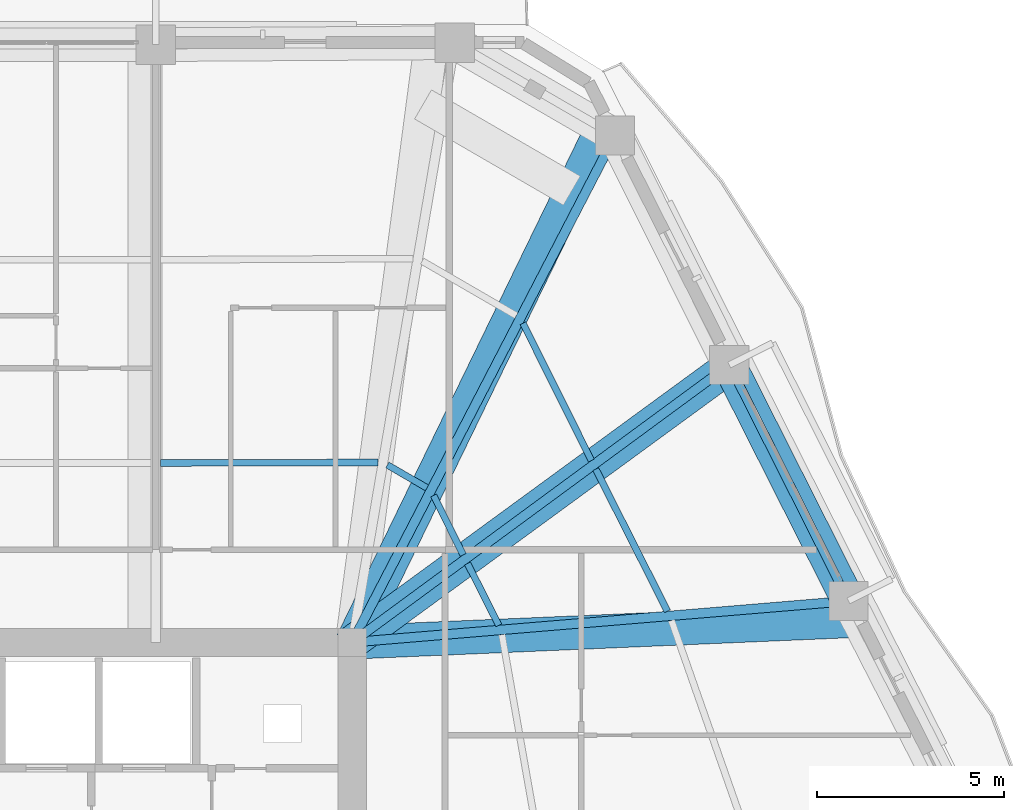
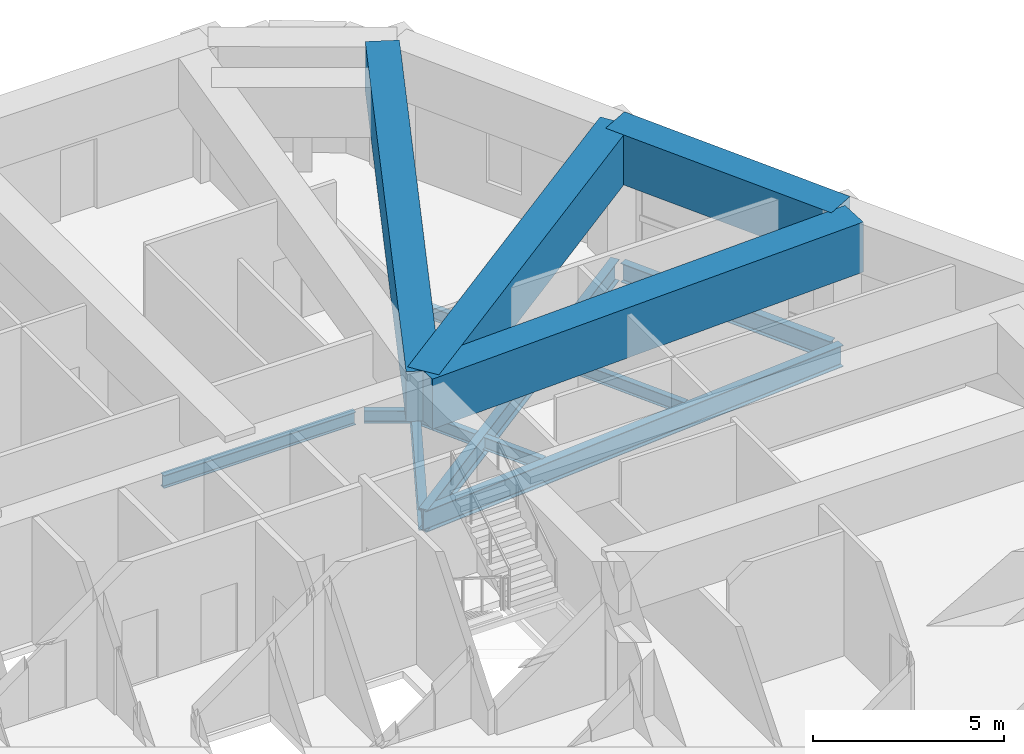
# One storey, part 9 of 23: 14 beams.
"""IFC4 building model written with IfcOpenShell, lengths in metres."""

from ifc_helpers import new_model, si_unit, direction, frame, origin, origin_2d, place, context, subcontext, project, spatial, rectangle, i_section, extrude, material, material_profile, profile_set, type_object, element, save


model = new_model("IFC4")

# Units and contexts
model_context = context("Model", 3, precision=1e-05, world=origin(), true_north=direction((0.0, 1.0)))
body_context = subcontext(model_context, "Body", "Model", "MODEL_VIEW")
ifc_project = project(units=[si_unit("LENGTHUNIT", "METRE"), si_unit("AREAUNIT", "SQUARE_METRE"), si_unit("VOLUMEUNIT", "CUBIC_METRE"), si_unit("PLANEANGLEUNIT", "RADIAN"), si_unit("MASSUNIT", "GRAM", prefix="KILO")], contexts=[model_context])

# Site, building, storey
site_placement = place(None, origin())
site = spatial("IfcSite", under=ifc_project, at=site_placement, CompositionType="ELEMENT")
building_placement = place(site_placement, origin())
building = spatial("IfcBuilding", under=site, at=building_placement, Name="Cinnabar Lancet Tower", CompositionType="ELEMENT")
storey_placement = place(building_placement, frame((0.0, 0.0, 94.199951171875)))
storey = spatial("IfcBuildingStorey", under=building, at=storey_placement, Name="L24", CompositionType="ELEMENT", Elevation=94.199951171875)

# Beams
ifc_material_1 = material(Name="Concrete C70/85", Category="concrete")
ifc_material_profile_1 = material_profile(ifc_material_1, rectangle(XDim=0.89990234375, YDim=1.60009765625, at=origin_2d()), Name="RC-BG 900x1600")
ifc_profile_set_1 = profile_set([ifc_material_profile_1], Name="Concrete C70/85")
beam_type_1 = type_object("IfcBeamType", Name="STR-BM-BG-1600", PredefinedType="BEAM", material=ifc_profile_set_1)
beam_1_placement = place(storey_placement, frame((55.0458984375, 34.3798828125, 3.400146484375), z_axis=(-0.450773692627, 0.892638268301, 0.0), x_axis=(-0.892638268301, -0.450773692627, 0.0)))
element("IfcBeam", 1, at=beam_1_placement, inside=storey, type_object=beam_type_1, Name="L25 Setback Outer Ring Girder 10", PredefinedType="BEAM", context=body_context, shape_type="SweptSolid", body=[
    extrude(rectangle(XDim=0.89990234375, YDim=1.60009765625, at=origin_2d()), origin(), (0.0, 0.0, 1.0), 7.070068359375),
])
beam_2_placement = place(storey_placement, frame((55.14501953125, 33.84912109375, 3.400146484375), z_axis=(-0.999079011891, -0.042908367467, 0.0), x_axis=(0.042908367467, -0.999079011891, 0.0)))
element("IfcBeam", 2, at=beam_2_placement, inside=storey, type_object=beam_type_1, Name="L25 Setback Continuous Radial Transfer Girder 10", PredefinedType="BEAM", context=body_context, shape_type="SweptSolid", body=[
    extrude(rectangle(XDim=0.89990234375, YDim=1.60009765625, at=origin_2d()), origin(), (0.0, 0.0, 1.0), 13.38232421875),
])
beam_3_placement = place(storey_placement, frame((51.85693359375, 40.64501953125, 3.400146484375), z_axis=(-0.807296552669, -0.590145978593, 0.0), x_axis=(0.590145978593, -0.807296552669, 0.0)))
element("IfcBeam", 3, at=beam_3_placement, inside=storey, type_object=beam_type_1, Name="L25 Setback Continuous Radial Transfer Girder 11", PredefinedType="BEAM", context=body_context, shape_type="SweptSolid", body=[
    extrude(rectangle(XDim=0.89990234375, YDim=1.60009765625, at=origin_2d()), origin(), (0.0, 0.0, 1.0), 12.488525390625),
])
beam_4_placement = place(storey_placement, frame((48.387939453125, 46.873046875, 3.400146484375), z_axis=(-0.437343976857, -0.899294304389, 0.0), x_axis=(0.899294304389, -0.437343976857, 0.0)))
element("IfcBeam", 4, at=beam_4_placement, inside=storey, type_object=beam_type_1, Name="L25 Setback Continuous Radial Transfer Girder 12", PredefinedType="BEAM", context=body_context, shape_type="SweptSolid", body=[
    extrude(rectangle(XDim=0.89990234375, YDim=1.60009765625, at=origin_2d()), origin(), (0.0, 0.0, 1.0), 15.120849609375),
])
ifc_material_2 = material(Name="Structural steel S355", Category="steel")
ifc_material_profile_2 = material_profile(ifc_material_2, i_section(OverallWidth=0.177978515625, OverallDepth=0.406494140625, WebThickness=0.0078125, FlangeThickness=0.0126953125, FilletRadius=0.01025390625, at=origin_2d()), Name="UKB 406x178x60")
ifc_profile_set_2 = profile_set([ifc_material_profile_2], Name="Structural steel S355")
beam_type_2 = type_object("IfcBeamType", Name="STR-BM-JST-406", PredefinedType="JOIST", material=ifc_profile_set_2)
beam_5_placement = place(storey_placement, frame((50.20703125, 34.10400390625, -0.4228515625), z_axis=(-0.450763900798, 0.892643213012, 0.0), x_axis=(-0.892643213012, -0.450763900798, 0.0)))
element("IfcBeam", 5, at=beam_5_placement, inside=storey, type_object=beam_type_2, Name="L24 Secondary Floor Joist 27", PredefinedType="JOIST", context=body_context, shape_type="SweptSolid", body=[
    extrude(i_section(OverallWidth=0.177978515625, OverallDepth=0.406494140625, WebThickness=0.0078125, FlangeThickness=0.0126953125, FilletRadius=0.01025390625, at=origin_2d()), origin(), (0.0, 0.0, 1.0), 4.25927734375),
])
beam_6_placement = place(storey_placement, frame((45.695068359375, 33.72900390625, -0.4228515625), z_axis=(-0.451156365602, 0.892444919184, 0.0), x_axis=(-0.892444919184, -0.451156365602, 0.0)))
element("IfcBeam", 6, at=beam_6_placement, inside=storey, type_object=beam_type_2, Name="L24 Secondary Floor Joist 28", PredefinedType="JOIST", context=body_context, shape_type="SweptSolid", body=[
    extrude(i_section(OverallWidth=0.177978515625, OverallDepth=0.406494140625, WebThickness=0.0078125, FlangeThickness=0.0126953125, FilletRadius=0.01025390625, at=origin_2d()), origin(), (0.0, 0.0, 1.0), 1.85546875),
])
beam_7_placement = place(storey_placement, frame((48.1708984375, 38.135986328125, -0.4228515625), z_axis=(-0.445617778616, 0.895223321513, 0.0), x_axis=(-0.895223321513, -0.445617778616, 0.0)))
element("IfcBeam", 7, at=beam_7_placement, inside=storey, type_object=beam_type_2, Name="L24 Secondary Floor Joist 29", PredefinedType="JOIST", context=body_context, shape_type="SweptSolid", body=[
    extrude(i_section(OverallWidth=0.177978515625, OverallDepth=0.406494140625, WebThickness=0.0078125, FlangeThickness=0.0126953125, FilletRadius=0.01025390625, at=origin_2d()), origin(), (0.0, 0.0, 1.0), 4.101806640625),
])
beam_8_placement = place(storey_placement, frame((44.742919921875, 35.614990234375, -0.4228515625), z_axis=(-0.446110386834, 0.894977945404, 0.0), x_axis=(-0.894977945404, -0.446110386834, 0.0)))
element("IfcBeam", 8, at=beam_8_placement, inside=storey, type_object=beam_type_2, Name="L24 Secondary Floor Joist 30", PredefinedType="JOIST", context=body_context, shape_type="SweptSolid", body=[
    extrude(i_section(OverallWidth=0.177978515625, OverallDepth=0.406494140625, WebThickness=0.0078125, FlangeThickness=0.0126953125, FilletRadius=0.01025390625, at=origin_2d()), origin(), (0.0, 0.0, 1.0), 1.77099609375),
])
beam_9_placement = place(storey_placement, frame((43.77392578125, 37.404052734375, -0.4228515625), z_axis=(-0.865071007494, 0.501649431369, 0.0), x_axis=(-0.501649431369, -0.865071007494, 0.0)))
element("IfcBeam", 9, at=beam_9_placement, inside=storey, type_object=beam_type_2, Name="L24 Secondary Floor Joist 32", PredefinedType="JOIST", context=body_context, shape_type="SweptSolid", body=[
    extrude(i_section(OverallWidth=0.177978515625, OverallDepth=0.406494140625, WebThickness=0.0078125, FlangeThickness=0.0126953125, FilletRadius=0.01025390625, at=origin_2d()), origin(), (0.0, 0.0, 1.0), 1.223876953125),
])
beam_10_placement = place(storey_placement, frame((42.468994140625, 38.0849609375, -0.4228515625), z_axis=(-0.999996726205, -0.002558823789, 0.0), x_axis=(0.002558823789, -0.999996726205, 0.0)))
element("IfcBeam", 10, at=beam_10_placement, inside=storey, type_object=beam_type_2, Name="L24 Secondary Floor Joist 34", PredefinedType="JOIST", context=body_context, shape_type="SweptSolid", body=[
    extrude(i_section(OverallWidth=0.177978515625, OverallDepth=0.406494140625, WebThickness=0.0078125, FlangeThickness=0.0126953125, FilletRadius=0.01025390625, at=origin_2d()), origin(), (0.0, 0.0, 1.0), 5.820068359375),
])
ifc_material_3 = material(Name="Structural steel S355", Category="steel")
ifc_material_profile_3 = material_profile(ifc_material_3, i_section(OverallWidth=0.228271484375, OverallDepth=0.607666015625, WebThickness=0.010986328125, FlangeThickness=0.017333984375, FilletRadius=0.0126953125, at=origin_2d()), Name="UKB 610x229x113")
ifc_profile_set_3 = profile_set([ifc_material_profile_3], Name="Structural steel S355")
beam_type_3 = type_object("IfcBeamType", Name="STR-BM-SPN-610", PredefinedType="SPANDREL", material=ifc_profile_set_3)
beam_11_placement = place(storey_placement, frame((54.93310546875, 34.60302734375, -0.52392578125), z_axis=(-0.450703143926, 0.892673891214, 0.0), x_axis=(-0.892673891214, -0.450703143926, 0.0)))
element("IfcBeam", 11, at=beam_11_placement, inside=storey, type_object=beam_type_3, Name="L24 Perimeter Spandrel 10", PredefinedType="SPANDREL", context=body_context, shape_type="SweptSolid", body=[
    extrude(i_section(OverallWidth=0.228271484375, OverallDepth=0.607666015625, WebThickness=0.010986328125, FlangeThickness=0.017333984375, FilletRadius=0.0126953125, at=origin_2d()), origin(), (0.0, 0.0, 1.0), 6.570068359375),
])
ifc_material_4 = material(Name="Structural steel S355", Category="steel")
ifc_material_profile_4 = material_profile(ifc_material_4, i_section(OverallWidth=0.253662109375, OverallDepth=0.68359375, WebThickness=0.012451171875, FlangeThickness=0.01904296875, FilletRadius=0.01513671875, at=origin_2d()), Name="UKB 686x254x140")
ifc_profile_set_4 = profile_set([ifc_material_profile_4], Name="Structural steel S355")
beam_type_4 = type_object("IfcBeamType", Name="STR-BM-UKB686-140", PredefinedType="BEAM", material=ifc_profile_set_4)
beam_12_placement = place(storey_placement, frame((51.85888671875, 40.69091796875, -0.56201171875), z_axis=(-0.805600633978, -0.592458959367, 0.0), x_axis=(0.592458959367, -0.805600633978, 0.0)))
element("IfcBeam", 12, at=beam_12_placement, inside=storey, type_object=beam_type_4, Name="L24 Corner Collector Girder 3", PredefinedType="BEAM", context=body_context, shape_type="SweptSolid", body=[
    extrude(i_section(OverallWidth=0.253662109375, OverallDepth=0.68359375, WebThickness=0.012451171875, FlangeThickness=0.01904296875, FilletRadius=0.01513671875, at=origin_2d()), origin(), (0.0, 0.0, 1.0), 12.517333984375),
])
beam_13_placement = place(storey_placement, frame((55.0458984375, 34.3798828125, -0.56201171875), z_axis=(-0.996551571824, -0.08297568737, 0.0), x_axis=(0.08297568737, -0.996551571824, 0.0)))
element("IfcBeam", 13, at=beam_13_placement, inside=storey, type_object=beam_type_4, Name="L24 Primary Floor Girder 10", PredefinedType="BEAM", context=body_context, shape_type="SweptSolid", body=[
    extrude(i_section(OverallWidth=0.253662109375, OverallDepth=0.68359375, WebThickness=0.012451171875, FlangeThickness=0.01904296875, FilletRadius=0.01513671875, at=origin_2d()), origin(), (0.0, 0.0, 1.0), 13.31689453125),
])
beam_14_placement = place(storey_placement, frame((48.802978515625, 46.826904296875, -0.56201171875), z_axis=(-0.4603745807, -0.887724757706, 0.0), x_axis=(0.887724757706, -0.4603745807, 0.0)))
element("IfcBeam", 14, at=beam_14_placement, inside=storey, type_object=beam_type_4, Name="L24 Primary Floor Girder 12", PredefinedType="BEAM", context=body_context, shape_type="SweptSolid", body=[
    extrude(i_section(OverallWidth=0.253662109375, OverallDepth=0.68359375, WebThickness=0.012451171875, FlangeThickness=0.01904296875, FilletRadius=0.01513671875, at=origin_2d()), origin(), (0.0, 0.0, 1.0), 15.26611328125),
])

save(model, "model.ifc")
